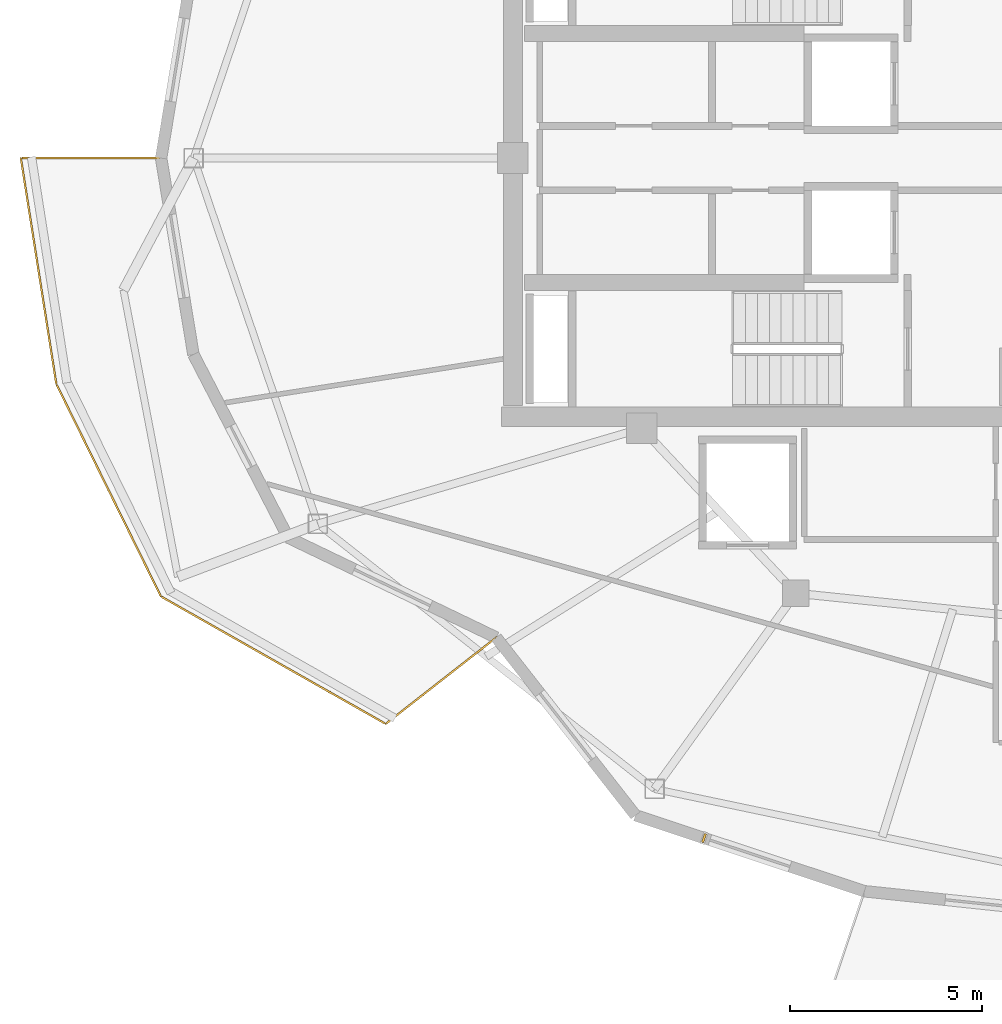
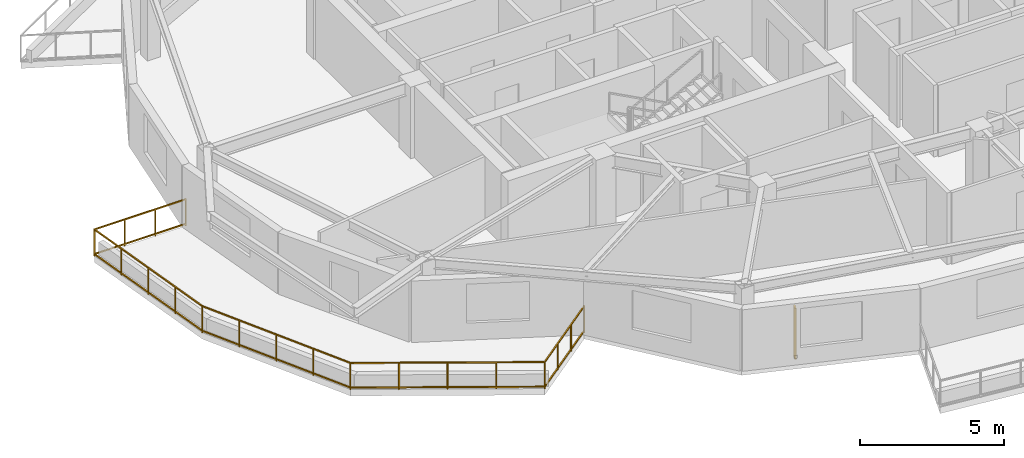
# One storey, part 10 of 14: 1 railing, 1 shading device.
"""IFC4 building model written with IfcOpenShell, lengths in metres."""

from ifc_helpers import new_model, si_unit, direction, frame, origin, origin_2d, place, context, subcontext, project, spatial, rectangle, extrude, material, type_object, element, save


model = new_model("IFC4")

# Units and contexts
model_context = context("Model", 3, precision=1e-05, world=origin(), true_north=direction((0.0, 1.0)))
body_context = subcontext(model_context, "Body", "Model", "MODEL_VIEW")
ifc_project = project(units=[si_unit("LENGTHUNIT", "METRE"), si_unit("AREAUNIT", "SQUARE_METRE"), si_unit("VOLUMEUNIT", "CUBIC_METRE"), si_unit("PLANEANGLEUNIT", "RADIAN"), si_unit("MASSUNIT", "GRAM", prefix="KILO")], contexts=[model_context])

# Site, building, storey
site_placement = place(None, origin())
site = spatial("IfcSite", under=ifc_project, at=site_placement, CompositionType="ELEMENT")
building_placement = place(site_placement, origin())
building = spatial("IfcBuilding", under=site, at=building_placement, Name="Kolvaren Gate Tower and Convention Centre", CompositionType="ELEMENT")
storey_placement = place(building_placement, frame((0.0, 0.0, 222.800048828125)))
storey = spatial("IfcBuildingStorey", under=building, at=storey_placement, Name="L59", CompositionType="ELEMENT", Elevation=222.800048828125)

# Railing
ifc_material_1 = material(Name="Brushed Stainless Steel Grade 316L", Category="steel")
railing_type = type_object("IfcRailingType", Name="ARCH-RL-GUARD-1150", PredefinedType="GUARDRAIL", material=ifc_material_1)
railing_placement = place(storey_placement, frame((5.375, 27.0, 0.0)))
element("IfcRailing", 1, at=railing_placement, inside=storey, type_object=railing_type, Name="Tower L59 Terrace Perimeter Guardrail GR-2", PredefinedType="GUARDRAIL", context=body_context, shape_type="SweptSolid", body=[
    extrude(rectangle(XDim=0.048095703125, YDim=0.048095703125, at=origin_2d()), frame((-0.028076171875, 0.0, 1.1259765625), z_axis=(-1.0, 0.0, 0.0), x_axis=(0.0, -1.0, 0.0)), (0.0, 0.0, 1.0), 3.603759765625),
    extrude(rectangle(XDim=0.048095703125, YDim=0.048095703125, at=origin_2d()), frame((-0.028076171875, 0.0, 0.083984375), z_axis=(-1.0, 0.0, 0.0), x_axis=(0.0, -1.0, 0.0)), (0.0, 0.0, 1.0), 3.603759765625),
    extrude(rectangle(XDim=0.048095703125, YDim=0.048095703125, at=origin_2d()), frame((-3.655517578125, -0.027587890625, 1.1259765625), z_axis=(0.155031225865, -0.987909570258, 0.0), x_axis=(0.987909570258, 0.155031225865, 0.0)), (0.0, 0.0, 1.0), 5.90771484375),
    extrude(rectangle(XDim=0.048095703125, YDim=0.048095703125, at=origin_2d()), frame((-3.655517578125, -0.027587890625, 0.083984375), z_axis=(0.155031225865, -0.987909570258, 0.0), x_axis=(0.987909570258, 0.155031225865, 0.0)), (0.0, 0.0, 1.0), 5.90771484375),
    extrude(rectangle(XDim=0.048095703125, YDim=0.048095703125, at=origin_2d()), frame((-2.722900390625, -5.916748046875, 1.1259765625), z_axis=(0.441625304244, -0.897199582396, 0.0), x_axis=(0.897199582396, 0.441625304244, 0.0)), (0.0, 0.0, 1.0), 6.122314453125),
    extrude(rectangle(XDim=0.048095703125, YDim=0.048095703125, at=origin_2d()), frame((-2.722900390625, -5.916748046875, 0.083984375), z_axis=(0.441625304244, -0.897199582396, 0.0), x_axis=(0.897199582396, 0.441625304244, 0.0)), (0.0, 0.0, 1.0), 6.122314453125),
    extrude(rectangle(XDim=0.048095703125, YDim=0.048095703125, at=origin_2d()), frame((0.017578125, -11.44873046875, 1.1259765625), z_axis=(0.869876155964, -0.493270182846, 0.0), x_axis=(0.493270182846, 0.869876155964, 0.0)), (0.0, 0.0, 1.0), 6.6865234375),
    extrude(rectangle(XDim=0.048095703125, YDim=0.048095703125, at=origin_2d()), frame((0.017578125, -11.44873046875, 0.083984375), z_axis=(0.869876155964, -0.493270182846, 0.0), x_axis=(0.493270182846, 0.869876155964, 0.0)), (0.0, 0.0, 1.0), 6.6865234375),
    extrude(rectangle(XDim=0.048095703125, YDim=0.048095703125, at=origin_2d()), frame((5.880615234375, -14.743408203125, 1.1259765625), z_axis=(0.787988976981, 0.61568934712, 0.0), x_axis=(-0.61568934712, 0.787988976981, 0.0)), (0.0, 0.0, 1.0), 3.60400390625),
    extrude(rectangle(XDim=0.048095703125, YDim=0.048095703125, at=origin_2d()), frame((5.880615234375, -14.743408203125, 0.083984375), z_axis=(0.787988976981, 0.61568934712, 0.0), x_axis=(-0.61568934712, 0.787988976981, 0.0)), (0.0, 0.0, 1.0), 3.60400390625),
    extrude(rectangle(XDim=0.0419921875, YDim=0.0419921875, at=origin_2d()), origin(), (0.0, 0.0, 1.0), 1.14990234375),
    extrude(rectangle(XDim=0.0419921875, YDim=0.0419921875, at=origin_2d()), frame((-3.659912109375, 0.0, 0.0)), (0.0, 0.0, 1.0), 1.14990234375),
    extrude(rectangle(XDim=0.0419921875, YDim=0.0419921875, at=origin_2d()), frame((-1.219970703125, 0.0, 0.0)), (0.0, 0.0, 1.0), 1.099853515625),
    extrude(rectangle(XDim=0.0419921875, YDim=0.0419921875, at=origin_2d()), frame((-2.43994140625, 0.0, 0.0)), (0.0, 0.0, 1.0), 1.099853515625),
    extrude(rectangle(XDim=0.0419921875, YDim=0.0419921875, at=origin_2d()), frame((-2.7353515625, -5.8916015625, 0.0)), (0.0, 0.0, 1.0), 1.14990234375),
    extrude(rectangle(XDim=0.0419921875, YDim=0.0419921875, at=origin_2d()), frame((-3.4287109375, -1.472900390625, 0.0)), (0.0, 0.0, 1.0), 1.099853515625),
    extrude(rectangle(XDim=0.0419921875, YDim=0.0419921875, at=origin_2d()), frame((-3.19775390625, -2.94580078125, 0.0)), (0.0, 0.0, 1.0), 1.099853515625),
    extrude(rectangle(XDim=0.0419921875, YDim=0.0419921875, at=origin_2d()), frame((-2.966552734375, -4.418701171875, 0.0)), (0.0, 0.0, 1.0), 1.099853515625),
    extrude(rectangle(XDim=0.0419921875, YDim=0.0419921875, at=origin_2d()), frame((-0.0068359375, -11.434814453125, 0.0)), (0.0, 0.0, 1.0), 1.14990234375),
    extrude(rectangle(XDim=0.0419921875, YDim=0.0419921875, at=origin_2d()), frame((-2.05322265625, -7.27734375, 0.0)), (0.0, 0.0, 1.0), 1.099853515625),
    extrude(rectangle(XDim=0.0419921875, YDim=0.0419921875, at=origin_2d()), frame((-1.37109375, -8.6630859375, 0.0)), (0.0, 0.0, 1.0), 1.099853515625),
    extrude(rectangle(XDim=0.0419921875, YDim=0.0419921875, at=origin_2d()), frame((-0.68896484375, -10.049072265625, 0.0)), (0.0, 0.0, 1.0), 1.099853515625),
    extrude(rectangle(XDim=0.0419921875, YDim=0.0419921875, at=origin_2d()), frame((5.8583984375, -14.7607421875, 0.0)), (0.0, 0.0, 1.0), 1.14990234375),
    extrude(rectangle(XDim=0.0419921875, YDim=0.0419921875, at=origin_2d()), frame((1.45947265625, -12.266357421875, 0.0)), (0.0, 0.0, 1.0), 1.099853515625),
    extrude(rectangle(XDim=0.0419921875, YDim=0.0419921875, at=origin_2d()), frame((2.92578125, -13.09765625, 0.0)), (0.0, 0.0, 1.0), 1.099853515625),
    extrude(rectangle(XDim=0.0419921875, YDim=0.0419921875, at=origin_2d()), frame((4.39208984375, -13.92919921875, 0.0)), (0.0, 0.0, 1.0), 1.099853515625),
    extrude(rectangle(XDim=0.0419921875, YDim=0.0419921875, at=origin_2d()), frame((8.742431640625, -12.50732421875, 0.0)), (0.0, 0.0, 1.0), 1.14990234375),
    extrude(rectangle(XDim=0.0419921875, YDim=0.0419921875, at=origin_2d()), frame((6.81982421875, -14.009521484375, 0.0)), (0.0, 0.0, 1.0), 1.099853515625),
    extrude(rectangle(XDim=0.0419921875, YDim=0.0419921875, at=origin_2d()), frame((7.781005859375, -13.258544921875, 0.0)), (0.0, 0.0, 1.0), 1.099853515625),
])

# Shading device
ifc_material_2 = material(Name="Kiln-Fired Bogota Terracotta Ceramic Louvre Profile", Category="masonry")
shading_device_type = type_object("IfcShadingDeviceType", Name="ARCH-SHD-FIN-180", PredefinedType="JALOUSIE", material=ifc_material_2)
shading_device_placement = place(storey_placement, frame((19.538330078125, 9.260009765625, 0.219970703125), z_axis=(0.0, 0.0, 1.0), x_axis=(0.949241728595, -0.314547517385, 0.0)))
element("IfcShadingDevice", 2, at=shading_device_placement, inside=storey, type_object=shading_device_type, Name="Ceramic Vertical Brise-Soleil Fin FN-L59-16", PredefinedType="JALOUSIE", context=body_context, shape_type="SweptSolid", body=[
    extrude(rectangle(XDim=0.06005859375, YDim=0.239990234375, at=origin_2d()), origin(), (0.0, 0.0, 1.0), 2.14990234375),
])

save(model, "model.ifc")
